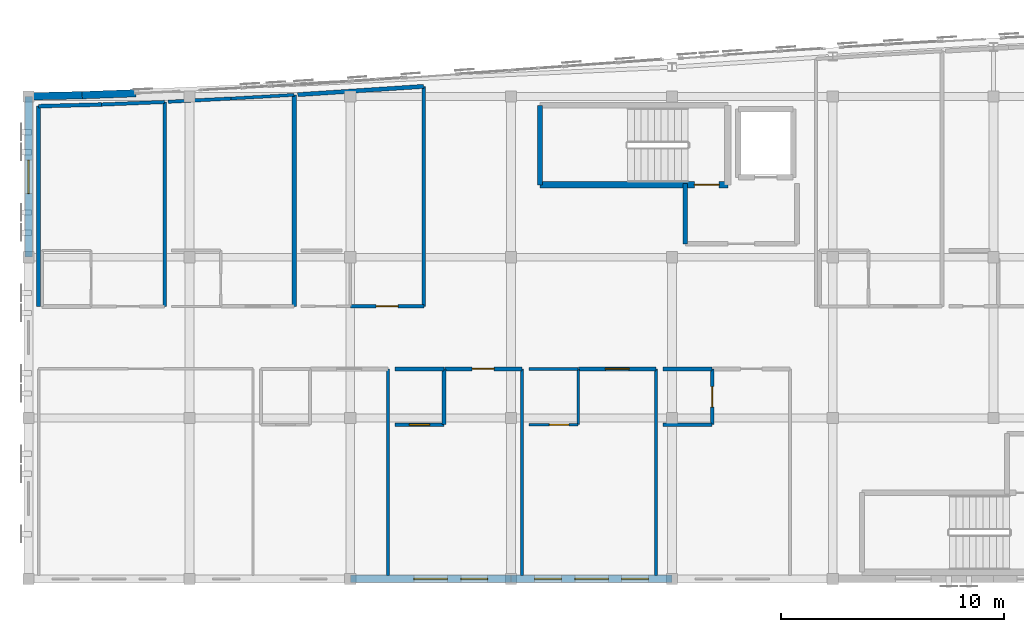
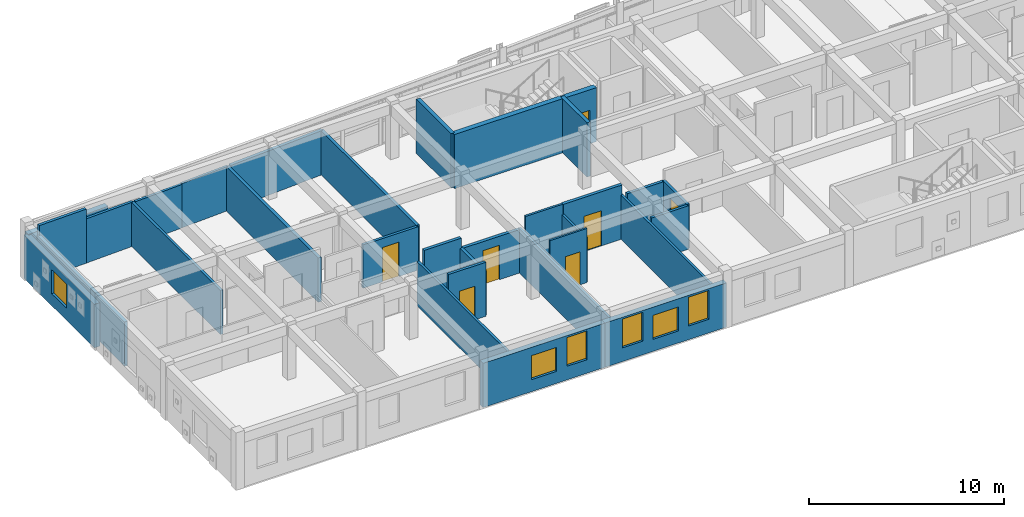
# One storey, part 26 of 34: 32 walls, 7 doors, 6 windows, 13 openings.
"""IFC4 building model written with IfcOpenShell, lengths in metres."""

from ifc_helpers import new_model, si_unit, direction, frame, frame_2d, origin, place, context, subcontext, project, spatial, rectangle, extrude, material, layer, layer_set, type_object, element, fill, save


model = new_model("IFC4")

# Units and contexts
model_context = context("Model", 3, precision=1e-05, world=origin(), true_north=direction((0.0, 1.0)))
body_context = subcontext(model_context, "Body", "Model", "MODEL_VIEW")
ifc_project = project(units=[si_unit("LENGTHUNIT", "METRE"), si_unit("AREAUNIT", "SQUARE_METRE"), si_unit("VOLUMEUNIT", "CUBIC_METRE"), si_unit("PLANEANGLEUNIT", "RADIAN"), si_unit("MASSUNIT", "GRAM", prefix="KILO")], contexts=[model_context])

# Site, building, storey
site_placement = place(None, origin())
site = spatial("IfcSite", under=ifc_project, at=site_placement, CompositionType="ELEMENT")
building_placement = place(site_placement, origin())
building = spatial("IfcBuilding", under=site, at=building_placement, Name="Carrowvane Square Congress Hotel", CompositionType="ELEMENT")
storey_placement = place(building_placement, frame((0.0, 0.0, 40.800048828125)))
storey = spatial("IfcBuildingStorey", under=building, at=storey_placement, Name="L10", CompositionType="ELEMENT", Elevation=40.800048828125)

# Walls
ifc_material_1 = material(Name="Glazed terracotta rainscreen", Category="masonry")
ifc_layer_1 = layer(ifc_material_1, 0.330078125)
ifc_layer_set_1 = layer_set([ifc_layer_1], Name="Glazed terracotta rainscreen")
wall_type_1 = type_object("IfcWallType", Name="WL-EXT-TC330", PredefinedType="STANDARD", material=ifc_layer_set_1)
wall_1_placement = place(storey_placement, frame((33.199951171875, 113.39990234375, 0.0), z_axis=(0.0, 0.0, 1.0), x_axis=(0.999767568547, 0.021559426766, 0.0)))
element("IfcWall", 1, at=wall_1_placement, inside=storey, type_object=wall_type_1, Name="L10 exterior facade wall 583", PredefinedType="STANDARD", context=body_context, shape_type="SweptSolid", body=[
    extrude(rectangle(XDim=2.400634765625, YDim=0.330078125, at=frame_2d((1.2001953125, 0.0))), origin(), (0.0, 0.0, 1.0), 2.764892578125),
])
wall_2_placement = place(storey_placement, frame((35.60009765625, 113.45166015625, 0.0), z_axis=(0.0, 0.0, 1.0), x_axis=(0.99930757318, 0.037207179225, 0.0)))
element("IfcWall", 2, at=wall_2_placement, inside=storey, type_object=wall_type_1, Name="L10 exterior facade wall 584", PredefinedType="STANDARD", context=body_context, shape_type="SweptSolid", body=[
    extrude(rectangle(XDim=2.401611328125, YDim=0.330078125, at=frame_2d((1.20068359375, 0.0))), origin(), (0.0, 0.0, 1.0), 2.764892578125),
])

# Wall, openings, windows
wall_3_placement = place(storey_placement, frame((62.0, 91.800048828125, 0.0), z_axis=(0.0, 0.0, 1.0), x_axis=(-1.0, 0.0, 0.0)))
wall_3 = element("IfcWall", 3, at=wall_3_placement, inside=storey, type_object=wall_type_1, Name="L10 exterior facade wall 597", PredefinedType="STANDARD", context=body_context, shape_type="SweptSolid", body=[
    extrude(rectangle(XDim=7.199951171875, YDim=0.330078125, at=frame_2d((3.60009765625, 0.0))), origin(), (0.0, 0.0, 1.0), 2.764892578125),
])
opening_1_placement = place(wall_3_placement, frame((2.85009765625, 0.0, 0.75)))
opening_1 = element("IfcOpeningElement", 4, at=opening_1_placement, cuts=wall_3, Name="Opening W-15", PredefinedType="OPENING", context=body_context, shape_type="SweptSolid", body=[
    extrude(rectangle(XDim=1.5, YDim=1.5, at=frame_2d((0.75, 0.75))), frame((0.0, 0.175048828125, 0.0), z_axis=(0.0, -1.0, 0.0), x_axis=(1.0, 0.0, 0.0)), (0.0, 0.0, 1.0), 0.35009765625),
])
opening_2_placement = place(wall_3_placement, frame((1.050048828125, 0.0, 0.85009765625)))
opening_2 = element("IfcOpeningElement", 5, at=opening_2_placement, cuts=wall_3, Name="Opening W-01", PredefinedType="OPENING", context=body_context, shape_type="SweptSolid", body=[
    extrude(rectangle(XDim=1.199951171875, YDim=1.800048828125, at=frame_2d((0.60009765625, 0.89990234375))), frame((0.0, 0.175048828125, 0.0), z_axis=(0.0, -1.0, 0.0), x_axis=(1.0, 0.0, 0.0)), (0.0, 0.0, 1.0), 0.35009765625),
])
opening_3_placement = place(wall_3_placement, frame((4.949951171875, 0.0, 0.85009765625)))
opening_3 = element("IfcOpeningElement", 6, at=opening_3_placement, cuts=wall_3, Name="Opening W-01", PredefinedType="OPENING", context=body_context, shape_type="SweptSolid", body=[
    extrude(rectangle(XDim=1.199951171875, YDim=1.800048828125, at=frame_2d((0.60009765625, 0.89990234375))), frame((0.0, 0.175048828125, 0.0), z_axis=(0.0, -1.0, 0.0), x_axis=(1.0, 0.0, 0.0)), (0.0, 0.0, 1.0), 0.35009765625),
])
ifc_material_2 = material(Name="Double-glazed low-E glass", Category="glass")
window_type_1 = type_object("IfcWindowType", Name="WIN-01", PartitioningType="SINGLE_PANEL", PredefinedType="WINDOW", material=ifc_material_2)
window_1_placement = place(opening_2_placement, origin())
window_1 = element("IfcWindow", 7, at=window_1_placement, inside=storey, type_object=window_type_1, Name="L10 guest bedroom window 483", OverallHeight=1.800048828125, OverallWidth=1.199951171875, PartitioningType="SINGLE_PANEL", PredefinedType="WINDOW", context=body_context, shape_type="SweptSolid", body=[
    extrude(rectangle(XDim=1.199951171875, YDim=1.800048828125, at=frame_2d((0.60009765625, 0.89990234375))), frame((0.0, 0.030029296875, 0.0), z_axis=(0.0, -1.0, 0.0), x_axis=(1.0, 0.0, 0.0)), (0.0, 0.0, 1.0), 0.06005859375),
])
fill(opening_2, window_1)
window_2_placement = place(opening_3_placement, origin())
window_2 = element("IfcWindow", 8, at=window_2_placement, inside=storey, type_object=window_type_1, Name="L10 guest bedroom window 484", OverallHeight=1.800048828125, OverallWidth=1.199951171875, PartitioningType="SINGLE_PANEL", PredefinedType="WINDOW", context=body_context, shape_type="SweptSolid", body=[
    extrude(rectangle(XDim=1.199951171875, YDim=1.800048828125, at=frame_2d((0.60009765625, 0.89990234375))), frame((0.0, 0.030029296875, 0.0), z_axis=(0.0, -1.0, 0.0), x_axis=(1.0, 0.0, 0.0)), (0.0, 0.0, 1.0), 0.06005859375),
])
fill(opening_3, window_2)
ifc_material_3 = material(Name="Double-glazed low-E glass", Category="glass")
window_type_2 = type_object("IfcWindowType", Name="WIN-15", PartitioningType="SINGLE_PANEL", PredefinedType="WINDOW", material=ifc_material_3)
window_3_placement = place(opening_1_placement, origin())
window_3 = element("IfcWindow", 9, at=window_3_placement, inside=storey, type_object=window_type_2, Name="L10 facade window 482", OverallHeight=1.5, OverallWidth=1.5, PartitioningType="SINGLE_PANEL", PredefinedType="WINDOW", context=body_context, shape_type="SweptSolid", body=[
    extrude(rectangle(XDim=1.5, YDim=1.5, at=frame_2d((0.75, 0.75))), frame((0.0, 0.030029296875, 0.0), z_axis=(0.0, -1.0, 0.0), x_axis=(1.0, 0.0, 0.0)), (0.0, 0.0, 1.0), 0.06005859375),
])
fill(opening_1, window_3)

wall_4_placement = place(storey_placement, frame((54.800048828125, 91.800048828125, 0.0), z_axis=(0.0, 0.0, 1.0), x_axis=(-1.0, 0.0, 0.0)))
wall_4 = element("IfcWall", 10, at=wall_4_placement, inside=storey, type_object=wall_type_1, Name="L10 exterior facade wall 598", PredefinedType="STANDARD", context=body_context, shape_type="SweptSolid", body=[
    extrude(rectangle(XDim=7.199951171875, YDim=0.330078125, at=frame_2d((3.60009765625, 0.0))), origin(), (0.0, 0.0, 1.0), 2.764892578125),
])
opening_4_placement = place(wall_4_placement, frame((2.85009765625, 0.0, 0.75)))
opening_4 = element("IfcOpeningElement", 11, at=opening_4_placement, cuts=wall_4, Name="Opening W-15", PredefinedType="OPENING", context=body_context, shape_type="SweptSolid", body=[
    extrude(rectangle(XDim=1.5, YDim=1.5, at=frame_2d((0.75, 0.75))), frame((0.0, 0.175048828125, 0.0), z_axis=(0.0, -1.0, 0.0), x_axis=(1.0, 0.0, 0.0)), (0.0, 0.0, 1.0), 0.35009765625),
])
opening_5_placement = place(wall_4_placement, frame((1.050048828125, 0.0, 0.85009765625)))
opening_5 = element("IfcOpeningElement", 12, at=opening_5_placement, cuts=wall_4, Name="Opening W-01", PredefinedType="OPENING", context=body_context, shape_type="SweptSolid", body=[
    extrude(rectangle(XDim=1.199951171875, YDim=1.800048828125, at=frame_2d((0.60009765625, 0.89990234375))), frame((0.0, 0.175048828125, 0.0), z_axis=(0.0, -1.0, 0.0), x_axis=(1.0, 0.0, 0.0)), (0.0, 0.0, 1.0), 0.35009765625),
])
window_4_placement = place(opening_5_placement, origin())
window_4 = element("IfcWindow", 13, at=window_4_placement, inside=storey, type_object=window_type_1, Name="L10 guest bedroom window 486", OverallHeight=1.800048828125, OverallWidth=1.199951171875, PartitioningType="SINGLE_PANEL", PredefinedType="WINDOW", context=body_context, shape_type="SweptSolid", body=[
    extrude(rectangle(XDim=1.199951171875, YDim=1.800048828125, at=frame_2d((0.60009765625, 0.89990234375))), frame((0.0, 0.030029296875, 0.0), z_axis=(0.0, -1.0, 0.0), x_axis=(1.0, 0.0, 0.0)), (0.0, 0.0, 1.0), 0.06005859375),
])
fill(opening_5, window_4)
window_5_placement = place(opening_4_placement, origin())
window_5 = element("IfcWindow", 14, at=window_5_placement, inside=storey, type_object=window_type_2, Name="L10 facade window 485", OverallHeight=1.5, OverallWidth=1.5, PartitioningType="SINGLE_PANEL", PredefinedType="WINDOW", context=body_context, shape_type="SweptSolid", body=[
    extrude(rectangle(XDim=1.5, YDim=1.5, at=frame_2d((0.75, 0.75))), frame((0.0, 0.030029296875, 0.0), z_axis=(0.0, -1.0, 0.0), x_axis=(1.0, 0.0, 0.0)), (0.0, 0.0, 1.0), 0.06005859375),
])
fill(opening_4, window_5)

# Wall, opening, window
wall_5_placement = place(storey_placement, frame((33.199951171875, 106.199951171875, 0.0), z_axis=(0.0, 0.0, 1.0), x_axis=(0.0, 1.0, 0.0)))
wall_5 = element("IfcWall", 15, at=wall_5_placement, inside=storey, type_object=wall_type_1, Name="L10 exterior facade wall 603", PredefinedType="STANDARD", context=body_context, shape_type="SweptSolid", body=[
    extrude(rectangle(XDim=7.199951171875, YDim=0.330078125, at=frame_2d((3.60009765625, 0.0))), origin(), (0.0, 0.0, 1.0), 2.71484375),
])
opening_6_placement = place(wall_5_placement, frame((2.85009765625, 0.0, 0.75)))
opening_6 = element("IfcOpeningElement", 16, at=opening_6_placement, cuts=wall_5, Name="Opening W-15", PredefinedType="OPENING", context=body_context, shape_type="SweptSolid", body=[
    extrude(rectangle(XDim=1.5, YDim=1.5, at=frame_2d((0.75, 0.75))), frame((0.0, 0.175048828125, 0.0), z_axis=(0.0, -1.0, 0.0), x_axis=(1.0, 0.0, 0.0)), (0.0, 0.0, 1.0), 0.35009765625),
])
window_6_placement = place(opening_6_placement, origin())
window_6 = element("IfcWindow", 17, at=window_6_placement, inside=storey, type_object=window_type_2, Name="L10 facade window 496", OverallHeight=1.5, OverallWidth=1.5, PartitioningType="SINGLE_PANEL", PredefinedType="WINDOW", context=body_context, shape_type="SweptSolid", body=[
    extrude(rectangle(XDim=1.5, YDim=1.5, at=frame_2d((0.75, 0.75))), frame((0.0, 0.030029296875, 0.0), z_axis=(0.0, -1.0, 0.0), x_axis=(1.0, 0.0, 0.0)), (0.0, 0.0, 1.0), 0.06005859375),
])
fill(opening_6, window_6)

# Wall, opening, door
ifc_material_4 = material(Name="Acoustic gypsum board", Category="gypsum")
ifc_layer_2 = layer(ifc_material_4, 0.155029296875)
ifc_layer_set_2 = layer_set([ifc_layer_2], Name="Acoustic gypsum board")
wall_type_2 = type_object("IfcWallType", Name="WL-FIR-155", PredefinedType="PARTITIONING", material=ifc_layer_set_2)
wall_6_placement = place(storey_placement, frame((51.800048828125, 98.699951171875, 0.0), z_axis=(0.0, 0.0, 1.0), x_axis=(-1.0, 0.0, 0.0)))
wall_6 = element("IfcWall", 18, at=wall_6_placement, inside=storey, type_object=wall_type_2, Name="L10 En-suite Bathroom 1002 partition", PredefinedType="PARTITIONING", context=body_context, shape_type="SweptSolid", body=[
    extrude(rectangle(XDim=2.199951171875, YDim=0.155029296875, at=frame_2d((1.10009765625, 0.0))), origin(), (0.0, 0.0, 1.0), 3.3798828125),
])
opening_7_placement = place(wall_6_placement, frame((0.64501953125, 0.0, 0.0)))
opening_7 = element("IfcOpeningElement", 19, at=opening_7_placement, cuts=wall_6, Name="Opening ID-17", PredefinedType="OPENING", context=body_context, shape_type="SweptSolid", body=[
    extrude(rectangle(XDim=0.909912109375, YDim=2.110107421875, at=frame_2d((0.455078125, 1.05517578125))), frame((0.0, 0.08740234375, 0.0), z_axis=(0.0, -1.0, 0.0), x_axis=(1.0, 0.0, 0.0)), (0.0, 0.0, 1.0), 0.175048828125),
])
ifc_material_5 = material(Name="European oak timber", Category="wood")
door_type_1 = type_object("IfcDoorType", Name="DR-INT-0910x2110", OperationType="NOTDEFINED", PredefinedType="DOOR", material=ifc_material_5)
door_1_placement = place(opening_7_placement, origin())
door_1 = element("IfcDoor", 20, at=door_1_placement, inside=storey, type_object=door_type_1, Name="L10 En-suite Bathroom 1002 door", OperationType="SINGLE_SWING_RIGHT", OverallHeight=2.110107421875, OverallWidth=0.909912109375, PredefinedType="DOOR", context=body_context, shape_type="SweptSolid", body=[
    extrude(rectangle(XDim=0.909912109375, YDim=2.110107421875, at=frame_2d((0.455078125, 1.05517578125))), frame((0.0, 0.02490234375, 0.0), z_axis=(0.0, -1.0, 0.0), x_axis=(1.0, 0.0, 0.0)), (0.0, 0.0, 1.0), 0.050048828125),
])
fill(opening_7, door_1)

wall_7_placement = place(storey_placement, frame((63.800048828125, 101.199951171875, 0.0), z_axis=(0.0, 0.0, 1.0), x_axis=(0.0, -1.0, 0.0)))
wall_7 = element("IfcWall", 21, at=wall_7_placement, inside=storey, type_object=wall_type_2, Name="L10 En-suite Bathroom 1004 partition", PredefinedType="PARTITIONING", context=body_context, shape_type="SweptSolid", body=[
    extrude(rectangle(XDim=2.5, YDim=0.155029296875, at=frame_2d((1.25, 0.0))), origin(), (0.0, 0.0, 1.0), 2.764892578125),
])
opening_8_placement = place(wall_7_placement, frame((0.7900390625, 0.0, 0.0)))
opening_8 = element("IfcOpeningElement", 22, at=opening_8_placement, cuts=wall_7, Name="Opening ID-03", PredefinedType="OPENING", context=body_context, shape_type="SweptSolid", body=[
    extrude(rectangle(XDim=0.919921875, YDim=2.10009765625, at=frame_2d((0.4599609375, 1.050048828125))), frame((0.0, 0.08740234375, 0.0), z_axis=(0.0, -1.0, 0.0), x_axis=(1.0, 0.0, 0.0)), (0.0, 0.0, 1.0), 0.175048828125),
])
ifc_material_6 = material(Name="European oak timber", Category="wood")
door_type_2 = type_object("IfcDoorType", Name="DR-INT-0920x2100", OperationType="NOTDEFINED", PredefinedType="DOOR", material=ifc_material_6)
door_2_placement = place(opening_8_placement, origin())
door_2 = element("IfcDoor", 23, at=door_2_placement, inside=storey, type_object=door_type_2, Name="L10 En-suite Bathroom 1004 door", OperationType="SINGLE_SWING_RIGHT", OverallHeight=2.10009765625, OverallWidth=0.919921875, PredefinedType="DOOR", context=body_context, shape_type="SweptSolid", body=[
    extrude(rectangle(XDim=0.919921875, YDim=2.10009765625, at=frame_2d((0.4599609375, 1.050048828125))), frame((0.0, 0.02490234375, 0.0), z_axis=(0.0, -1.0, 0.0), x_axis=(1.0, 0.0, 0.0)), (0.0, 0.0, 1.0), 0.050048828125),
])
fill(opening_8, door_2)

# Wall
wall_8_placement = place(storey_placement, frame((36.469970703125, 113.0341796875, 0.0), z_axis=(0.0, 0.0, 1.0), x_axis=(0.999141298564, 0.041432662281, 0.0)))
element("IfcWall", 24, at=wall_8_placement, inside=storey, type_object=wall_type_2, Name="L10 Parkview Suite 1005 partition", PredefinedType="PARTITIONING", context=body_context, shape_type="SweptSolid", body=[
    extrude(rectangle(XDim=2.822509765625, YDim=0.155029296875, at=frame_2d((1.4111328125, 0.0))), origin(), (0.0, 0.0, 1.0), 2.764892578125),
])

# Wall, opening, door
wall_9_placement = place(storey_placement, frame((50.889892578125, 104.0, 0.0), z_axis=(0.0, 0.0, 1.0), x_axis=(-1.0, 0.0, 0.0)))
wall_9 = element("IfcWall", 25, at=wall_9_placement, inside=storey, type_object=wall_type_2, Name="L10 Parkview Suite 1007 partition", PredefinedType="PARTITIONING", context=body_context, shape_type="SweptSolid", body=[
    extrude(rectangle(XDim=3.27978515625, YDim=0.155029296875, at=frame_2d((1.639892578125, 0.0))), origin(), (0.0, 0.0, 1.0), 2.71484375),
])
opening_9_placement = place(wall_9_placement, frame((1.14990234375, 0.0, 0.0)))
opening_9 = element("IfcOpeningElement", 26, at=opening_9_placement, cuts=wall_9, Name="Opening FD-07", PredefinedType="OPENING", context=body_context, shape_type="SweptSolid", body=[
    extrude(rectangle(XDim=0.97998046875, YDim=2.14990234375, at=frame_2d((0.489990234375, 1.074951171875))), frame((0.0, 0.08740234375, 0.0), z_axis=(0.0, -1.0, 0.0), x_axis=(1.0, 0.0, 0.0)), (0.0, 0.0, 1.0), 0.175048828125),
])
ifc_material_7 = material(Name="European oak timber", Category="wood")
door_type_3 = type_object("IfcDoorType", Name="DR-FD30-0980x2150", OperationType="NOTDEFINED", PredefinedType="DOOR", material=ifc_material_7)
door_3_placement = place(opening_9_placement, origin())
door_3 = element("IfcDoor", 27, at=door_3_placement, inside=storey, type_object=door_type_3, Name="L10 Parkview Suite 1007 entrance door", OperationType="SINGLE_SWING_LEFT", OverallHeight=2.14990234375, OverallWidth=0.97998046875, PredefinedType="DOOR", context=body_context, shape_type="SweptSolid", body=[
    extrude(rectangle(XDim=0.97998046875, YDim=2.14990234375, at=frame_2d((0.489990234375, 1.074951171875))), frame((0.0, 0.02490234375, 0.0), z_axis=(0.0, -1.0, 0.0), x_axis=(1.0, 0.0, 0.0)), (0.0, 0.0, 1.0), 0.050048828125),
])
fill(opening_9, door_3)

# Walls
ifc_material_8 = material(Name="Acoustic gypsum board", Category="gypsum")
ifc_layer_3 = layer(ifc_material_8, 0.169921875)
ifc_layer_set_3 = layer_set([ifc_layer_3], Name="Acoustic gypsum board")
wall_type_3 = type_object("IfcWallType", Name="WL-FIR-170", PredefinedType="PARTITIONING", material=ifc_layer_set_3)
wall_10_placement = place(storey_placement, frame((51.800048828125, 101.199951171875, 0.0), z_axis=(0.0, 0.0, 1.0), x_axis=(0.0, -1.0, 0.0)))
element("IfcWall", 28, at=wall_10_placement, inside=storey, type_object=wall_type_3, Name="L10 En-suite Bathroom 1002 partition", PredefinedType="PARTITIONING", context=body_context, shape_type="SweptSolid", body=[
    extrude(rectangle(XDim=2.5, YDim=0.169921875, at=frame_2d((1.25, 0.0))), origin(), (0.0, 0.0, 1.0), 2.764892578125),
])
wall_11_placement = place(storey_placement, frame((61.60009765625, 101.199951171875, 0.0), z_axis=(0.0, 0.0, 1.0), x_axis=(1.0, 0.0, 0.0)))
element("IfcWall", 29, at=wall_11_placement, inside=storey, type_object=wall_type_3, Name="L10 En-suite Bathroom 1004 partition", PredefinedType="PARTITIONING", context=body_context, shape_type="SweptSolid", body=[
    extrude(rectangle(XDim=2.199951171875, YDim=0.169921875, at=frame_2d((1.10009765625, 0.0))), origin(), (0.0, 0.0, 1.0), 2.71484375),
])
wall_12_placement = place(storey_placement, frame((33.64990234375, 112.959716796875, 0.0), z_axis=(0.0, 0.0, 1.0), x_axis=(0.999651579665, 0.026395440377, 0.0)))
element("IfcWall", 30, at=wall_12_placement, inside=storey, type_object=wall_type_3, Name="L10 Parkview Suite 1005 partition", PredefinedType="PARTITIONING", context=body_context, shape_type="SweptSolid", body=[
    extrude(rectangle(XDim=2.821044921875, YDim=0.169921875, at=frame_2d((1.41064453125, 0.0))), origin(), (0.0, 0.0, 1.0), 3.3798828125),
])
wall_13_placement = place(storey_placement, frame((50.889892578125, 113.846923828125, 0.0), z_axis=(0.0, 0.0, 1.0), x_axis=(0.0, -1.0, 0.0)))
element("IfcWall", 31, at=wall_13_placement, inside=storey, type_object=wall_type_3, Name="L10 Parkview Suite 1007 partition", PredefinedType="PARTITIONING", context=body_context, shape_type="SweptSolid", body=[
    extrude(rectangle(XDim=9.846923828125, YDim=0.169921875, at=frame_2d((4.92333984375, 0.0))), origin(), (0.0, 0.0, 1.0), 2.764892578125),
])
ifc_material_9 = material(Name="Acoustic gypsum board", Category="gypsum")
ifc_layer_4 = layer(ifc_material_9, 0.18505859375)
ifc_layer_set_4 = layer_set([ifc_layer_4], Name="Acoustic gypsum board")
wall_type_4 = type_object("IfcWallType", Name="WL-FIR-185", PredefinedType="PARTITIONING", material=ifc_layer_set_4)
wall_14_placement = place(storey_placement, frame((49.60009765625, 101.199951171875, 0.0), z_axis=(0.0, 0.0, 1.0), x_axis=(1.0, 0.0, 0.0)))
element("IfcWall", 32, at=wall_14_placement, inside=storey, type_object=wall_type_4, Name="L10 En-suite Bathroom 1002 partition", PredefinedType="PARTITIONING", context=body_context, shape_type="SweptSolid", body=[
    extrude(rectangle(XDim=2.199951171875, YDim=0.18505859375, at=frame_2d((1.10009765625, 0.0))), origin(), (0.0, 0.0, 1.0), 3.3798828125),
])

# Wall, opening, door
wall_15_placement = place(storey_placement, frame((51.81005859375, 101.199951171875, 0.0), z_axis=(0.0, 0.0, 1.0), x_axis=(1.0, 0.0, 0.0)))
wall_15 = element("IfcWall", 33, at=wall_15_placement, inside=storey, type_object=wall_type_4, Name="L10 Hotel Suite 1002 partition", PredefinedType="PARTITIONING", context=body_context, shape_type="SweptSolid", body=[
    extrude(rectangle(XDim=3.47998046875, YDim=0.18505859375, at=frame_2d((1.739990234375, 0.0))), origin(), (0.0, 0.0, 1.0), 2.71484375),
])
opening_10_placement = place(wall_15_placement, frame((1.25, 0.0, 0.0)))
opening_10 = element("IfcOpeningElement", 34, at=opening_10_placement, cuts=wall_15, Name="Opening FD-07", PredefinedType="OPENING", context=body_context, shape_type="SweptSolid", body=[
    extrude(rectangle(XDim=0.97998046875, YDim=2.14990234375, at=frame_2d((0.489990234375, 1.074951171875))), frame((0.0, 0.1025390625, 0.0), z_axis=(0.0, -1.0, 0.0), x_axis=(1.0, 0.0, 0.0)), (0.0, 0.0, 1.0), 0.205078125),
])
door_4_placement = place(opening_10_placement, origin())
door_4 = element("IfcDoor", 35, at=door_4_placement, inside=storey, type_object=door_type_3, Name="L10 Hotel Suite 1002 entrance door", OperationType="SINGLE_SWING_LEFT", OverallHeight=2.14990234375, OverallWidth=0.97998046875, PredefinedType="DOOR", context=body_context, shape_type="SweptSolid", body=[
    extrude(rectangle(XDim=0.97998046875, YDim=2.14990234375, at=frame_2d((0.489990234375, 1.074951171875))), frame((0.0, 0.02490234375, 0.0), z_axis=(0.0, -1.0, 0.0), x_axis=(1.0, 0.0, 0.0)), (0.0, 0.0, 1.0), 0.050048828125),
])
fill(opening_10, door_4)

wall_16_placement = place(storey_placement, frame((57.81005859375, 101.199951171875, 0.0), z_axis=(0.0, 0.0, 1.0), x_axis=(1.0, 0.0, 0.0)))
wall_16 = element("IfcWall", 36, at=wall_16_placement, inside=storey, type_object=wall_type_4, Name="L10 Hotel Suite 1003 partition", PredefinedType="PARTITIONING", context=body_context, shape_type="SweptSolid", body=[
    extrude(rectangle(XDim=3.47998046875, YDim=0.18505859375, at=frame_2d((1.739990234375, 0.0))), origin(), (0.0, 0.0, 1.0), 3.3798828125),
])
opening_11_placement = place(wall_16_placement, frame((1.2099609375, 0.0, 0.0)))
opening_11 = element("IfcOpeningElement", 37, at=opening_11_placement, cuts=wall_16, Name="Opening FD-09", PredefinedType="OPENING", context=body_context, shape_type="SweptSolid", body=[
    extrude(rectangle(XDim=1.06005859375, YDim=2.199951171875, at=frame_2d((0.530029296875, 1.10009765625))), frame((0.0, 0.1025390625, 0.0), z_axis=(0.0, -1.0, 0.0), x_axis=(1.0, 0.0, 0.0)), (0.0, 0.0, 1.0), 0.205078125),
])
ifc_material_10 = material(Name="European oak timber", Category="wood")
door_type_4 = type_object("IfcDoorType", Name="DR-FD30-1060x2200", OperationType="NOTDEFINED", PredefinedType="DOOR", material=ifc_material_10)
door_5_placement = place(opening_11_placement, origin())
door_5 = element("IfcDoor", 38, at=door_5_placement, inside=storey, type_object=door_type_4, Name="L10 Hotel Suite 1003 entrance door", OperationType="SINGLE_SWING_LEFT", OverallHeight=2.199951171875, OverallWidth=1.06005859375, PredefinedType="DOOR", context=body_context, shape_type="SweptSolid", body=[
    extrude(rectangle(XDim=1.06005859375, YDim=2.199951171875, at=frame_2d((0.530029296875, 1.10009765625))), frame((0.0, 0.02490234375, 0.0), z_axis=(0.0, -1.0, 0.0), x_axis=(1.0, 0.0, 0.0)), (0.0, 0.0, 1.0), 0.050048828125),
])
fill(opening_11, door_5)

# Walls
wall_17_placement = place(storey_placement, frame((33.64990234375, 104.0, 0.0), z_axis=(0.0, 0.0, 1.0), x_axis=(0.0, 1.0, 0.0)))
element("IfcWall", 39, at=wall_17_placement, inside=storey, type_object=wall_type_4, Name="L10 Parkview Suite 1005 partition", PredefinedType="PARTITIONING", context=body_context, shape_type="SweptSolid", body=[
    extrude(rectangle(XDim=8.959716796875, YDim=0.18505859375, at=frame_2d((4.47998046875, 0.0))), origin(), (0.0, 0.0, 1.0), 2.764892578125),
])
wall_18_placement = place(storey_placement, frame((45.090087890625, 113.466552734375, 0.0), z_axis=(0.0, 0.0, 1.0), x_axis=(0.0, -1.0, 0.0)))
element("IfcWall", 40, at=wall_18_placement, inside=storey, type_object=wall_type_4, Name="L10 Parkview Suite 1006 partition", PredefinedType="PARTITIONING", context=body_context, shape_type="SweptSolid", body=[
    extrude(rectangle(XDim=9.466552734375, YDim=0.18505859375, at=frame_2d((4.7333984375, 0.0))), origin(), (0.0, 0.0, 1.0), 2.764892578125),
])
wall_19_placement = place(storey_placement, frame((45.25, 113.476318359375, 0.0), z_axis=(0.0, 0.0, 1.0), x_axis=(0.997847970093, 0.065570028077, 0.0)))
element("IfcWall", 41, at=wall_19_placement, inside=storey, type_object=wall_type_4, Name="L10 Parkview Suite 1007 partition", PredefinedType="PARTITIONING", context=body_context, shape_type="SweptSolid", body=[
    extrude(rectangle(XDim=5.652099609375, YDim=0.18505859375, at=frame_2d((2.826171875, 0.0))), origin(), (0.0, 0.0, 1.0), 2.764892578125),
])
ifc_material_11 = material(Name="Acoustic gypsum board", Category="gypsum")
ifc_layer_5 = layer(ifc_material_11, 0.205078125)
ifc_layer_set_5 = layer_set([ifc_layer_5], Name="Acoustic gypsum board")
wall_type_5 = type_object("IfcWallType", Name="WL-FIR-205", PredefinedType="PARTITIONING", material=ifc_layer_set_5)
wall_20_placement = place(storey_placement, frame((62.60009765625, 109.5, 0.0), z_axis=(0.0, 0.0, 1.0), x_axis=(0.0, -1.0, 0.0)))
element("IfcWall", 42, at=wall_20_placement, inside=storey, type_object=wall_type_5, Name="L10 Firefighting Lobby C1 wall west", PredefinedType="PARTITIONING", context=body_context, shape_type="SweptSolid", body=[
    extrude(rectangle(XDim=2.699951171875, YDim=0.205078125, at=frame_2d((1.35009765625, 0.0))), origin(), (0.0, 0.0, 1.0), 3.3798828125),
])

# Wall, opening, door
ifc_material_12 = material(Name="Acoustic gypsum board", Category="gypsum")
ifc_layer_6 = layer(ifc_material_12, 0.10791015625)
ifc_layer_set_6 = layer_set([ifc_layer_6], Name="Acoustic gypsum board")
wall_type_6 = type_object("IfcWallType", Name="WL-PRT-108", PredefinedType="PARTITIONING", material=ifc_layer_set_6)
wall_21_placement = place(storey_placement, frame((57.800048828125, 98.699951171875, 0.0), z_axis=(0.0, 0.0, 1.0), x_axis=(-1.0, 0.0, 0.0)))
wall_21 = element("IfcWall", 43, at=wall_21_placement, inside=storey, type_object=wall_type_6, Name="L10 En-suite Bathroom 1003 partition", PredefinedType="PARTITIONING", context=body_context, shape_type="SweptSolid", body=[
    extrude(rectangle(XDim=2.199951171875, YDim=0.10791015625, at=frame_2d((1.10009765625, 0.0))), origin(), (0.0, 0.0, 1.0), 3.3798828125),
])
opening_12_placement = place(wall_21_placement, frame((0.409912109375, 0.0, 0.0)))
opening_12 = element("IfcOpeningElement", 44, at=opening_12_placement, cuts=wall_21, Name="Opening ID-01", PredefinedType="OPENING", context=body_context, shape_type="SweptSolid", body=[
    extrude(rectangle(XDim=0.8798828125, YDim=2.06005859375, at=frame_2d((0.43994140625, 1.030029296875))), frame((0.0, 0.06396484375, 0.0), z_axis=(0.0, -1.0, 0.0), x_axis=(1.0, 0.0, 0.0)), (0.0, 0.0, 1.0), 0.1279296875),
])
ifc_material_13 = material(Name="European oak timber", Category="wood")
door_type_5 = type_object("IfcDoorType", Name="DR-INT-0880x2060", OperationType="NOTDEFINED", PredefinedType="DOOR", material=ifc_material_13)
door_6_placement = place(opening_12_placement, origin())
door_6 = element("IfcDoor", 45, at=door_6_placement, inside=storey, type_object=door_type_5, Name="L10 En-suite Bathroom 1003 door", OperationType="SINGLE_SWING_RIGHT", OverallHeight=2.06005859375, OverallWidth=0.8798828125, PredefinedType="DOOR", context=body_context, shape_type="SweptSolid", body=[
    extrude(rectangle(XDim=0.8798828125, YDim=2.06005859375, at=frame_2d((0.43994140625, 1.030029296875))), frame((0.0, 0.02490234375, 0.0), z_axis=(0.0, -1.0, 0.0), x_axis=(1.0, 0.0, 0.0)), (0.0, 0.0, 1.0), 0.050048828125),
])
fill(opening_12, door_6)

# Walls
ifc_material_14 = material(Name="Acoustic gypsum board", Category="gypsum")
ifc_layer_7 = layer(ifc_material_14, 0.117919921875)
ifc_layer_set_7 = layer_set([ifc_layer_7], Name="Acoustic gypsum board")
wall_type_7 = type_object("IfcWallType", Name="WL-PRT-118", PredefinedType="PARTITIONING", material=ifc_layer_set_7)
wall_22_placement = place(storey_placement, frame((57.800048828125, 101.199951171875, 0.0), z_axis=(0.0, 0.0, 1.0), x_axis=(0.0, -1.0, 0.0)))
element("IfcWall", 46, at=wall_22_placement, inside=storey, type_object=wall_type_7, Name="L10 En-suite Bathroom 1003 partition", PredefinedType="PARTITIONING", context=body_context, shape_type="SweptSolid", body=[
    extrude(rectangle(XDim=2.5, YDim=0.117919921875, at=frame_2d((1.25, 0.0))), origin(), (0.0, 0.0, 1.0), 2.764892578125),
])
ifc_material_15 = material(Name="Acoustic gypsum board", Category="gypsum")
ifc_layer_8 = layer(ifc_material_15, 0.1279296875)
ifc_layer_set_8 = layer_set([ifc_layer_8], Name="Acoustic gypsum board")
wall_type_8 = type_object("IfcWallType", Name="WL-PRT-128", PredefinedType="PARTITIONING", material=ifc_layer_set_8)
wall_23_placement = place(storey_placement, frame((55.60009765625, 101.199951171875, 0.0), z_axis=(0.0, 0.0, 1.0), x_axis=(1.0, 0.0, 0.0)))
element("IfcWall", 47, at=wall_23_placement, inside=storey, type_object=wall_type_8, Name="L10 En-suite Bathroom 1003 partition", PredefinedType="PARTITIONING", context=body_context, shape_type="SweptSolid", body=[
    extrude(rectangle(XDim=2.199951171875, YDim=0.1279296875, at=frame_2d((1.10009765625, 0.0))), origin(), (0.0, 0.0, 1.0), 3.3798828125),
])
ifc_material_16 = material(Name="Acoustic gypsum board", Category="gypsum")
ifc_layer_9 = layer(ifc_material_16, 0.137939453125)
ifc_layer_set_9 = layer_set([ifc_layer_9], Name="Acoustic gypsum board")
wall_type_9 = type_object("IfcWallType", Name="WL-PRT-138", PredefinedType="PARTITIONING", material=ifc_layer_set_9)
for number, where, z_axis, x_axis, name in (
    (48, (49.2900390625, 101.199951171875, 0.0), (0.0, 0.0, 1.0), (0.0, -1.0, 0.0), "L10 Hotel Suite 1001 partition"),
    (49, (55.2900390625, 101.199951171875, 0.0), (0.0, 0.0, 1.0), (0.0, -1.0, 0.0), "L10 Hotel Suite 1002 partition"),
    (50, (61.2900390625, 101.199951171875, 0.0), (0.0, 0.0, 1.0), (0.0, -1.0, 0.0), "L10 Hotel Suite 1003 partition"),
):
    element("IfcWall", number, at=place(storey_placement, frame(where, z_axis=z_axis, x_axis=x_axis)), inside=storey, type_object=wall_type_9, Name=name, PredefinedType="PARTITIONING", context=body_context, shape_type="SweptSolid", body=[
        extrude(rectangle(XDim=9.239990234375, YDim=0.137939453125, at=frame_2d((4.6201171875, 0.0))), origin(), (0.0, 0.0, 1.0), 2.764892578125),
    ])
wall_24_placement = place(storey_placement, frame((42.27001953125, 113.302978515625, 0.0), z_axis=(0.0, 0.0, 1.0), x_axis=(0.998322021987, 0.057906307223, 0.0)))
element("IfcWall", 51, at=wall_24_placement, inside=storey, type_object=wall_type_9, Name="L10 Parkview Suite 1006 partition", PredefinedType="PARTITIONING", context=body_context, shape_type="SweptSolid", body=[
    extrude(rectangle(XDim=2.82470703125, YDim=0.137939453125, at=frame_2d((1.412353515625, 0.0))), origin(), (0.0, 0.0, 1.0), 2.764892578125),
])
ifc_material_17 = material(Name="Acoustic gypsum board", Category="gypsum")
ifc_layer_10 = layer(ifc_material_17, 0.14794921875)
ifc_layer_set_10 = layer_set([ifc_layer_10], Name="Acoustic gypsum board")
wall_type_10 = type_object("IfcWallType", Name="WL-PRT-148", PredefinedType="PARTITIONING", material=ifc_layer_set_10)
wall_25_placement = place(storey_placement, frame((63.800048828125, 98.699951171875, 0.0), z_axis=(0.0, 0.0, 1.0), x_axis=(-1.0, 0.0, 0.0)))
element("IfcWall", 52, at=wall_25_placement, inside=storey, type_object=wall_type_10, Name="L10 En-suite Bathroom 1004 partition", PredefinedType="PARTITIONING", context=body_context, shape_type="SweptSolid", body=[
    extrude(rectangle(XDim=2.199951171875, YDim=0.14794921875, at=frame_2d((1.10009765625, 0.0))), origin(), (0.0, 0.0, 1.0), 2.71484375),
])
wall_26_placement = place(storey_placement, frame((39.2900390625, 113.151123046875, 0.0), z_axis=(0.0, 0.0, 1.0), x_axis=(0.0, -1.0, 0.0)))
element("IfcWall", 53, at=wall_26_placement, inside=storey, type_object=wall_type_10, Name="L10 Parkview Suite 1005 partition", PredefinedType="PARTITIONING", context=body_context, shape_type="SweptSolid", body=[
    extrude(rectangle(XDim=9.151123046875, YDim=0.14794921875, at=frame_2d((4.57568359375, 0.0))), origin(), (0.0, 0.0, 1.0), 2.764892578125),
])
wall_27_placement = place(storey_placement, frame((39.449951171875, 113.158447265625, 0.0), z_axis=(0.0, 0.0, 1.0), x_axis=(0.998689250443, 0.05118379675, 0.0)))
element("IfcWall", 54, at=wall_27_placement, inside=storey, type_object=wall_type_10, Name="L10 Parkview Suite 1006 partition", PredefinedType="PARTITIONING", context=body_context, shape_type="SweptSolid", body=[
    extrude(rectangle(XDim=2.82373046875, YDim=0.14794921875, at=frame_2d((1.411865234375, 0.0))), origin(), (0.0, 0.0, 1.0), 2.71484375),
])
ifc_material_18 = material(Name="Concrete C40/50", Category="concrete")
ifc_layer_11 = layer(ifc_material_18, 0.22509765625)
ifc_layer_set_11 = layer_set([ifc_layer_11], Name="Concrete C40/50")
wall_type_11 = type_object("IfcWallType", Name="WL-SHR-225", PredefinedType="SHEAR", material=ifc_layer_set_11)
wall_28_placement = place(storey_placement, frame((56.10009765625, 113.0, 0.0), z_axis=(0.0, 0.0, 1.0), x_axis=(0.0, -1.0, 0.0)))
element("IfcWall", 55, at=wall_28_placement, inside=storey, type_object=wall_type_11, Name="L10 ST1 core wall west", PredefinedType="SHEAR", context=body_context, shape_type="SweptSolid", body=[
    extrude(rectangle(XDim=3.56005859375, YDim=0.22509765625, at=frame_2d((1.780029296875, 0.0))), origin(), (0.0, 0.0, 1.0), 3.3798828125),
])

# Wall, opening, door
ifc_material_19 = material(Name="Concrete C40/50", Category="concrete")
ifc_layer_12 = layer(ifc_material_19, 0.300048828125)
ifc_layer_set_12 = layer_set([ifc_layer_12], Name="Concrete C40/50")
wall_type_12 = type_object("IfcWallType", Name="WL-SHR-300", PredefinedType="SHEAR", material=ifc_layer_set_12)
wall_29_placement = place(storey_placement, frame((56.10009765625, 109.43994140625, 0.0), z_axis=(0.0, 0.0, 1.0), x_axis=(1.0, 0.0, 0.0)))
wall_29 = element("IfcWall", 56, at=wall_29_placement, inside=storey, type_object=wall_type_12, Name="L10 ST1 core wall south", PredefinedType="SHEAR", context=body_context, shape_type="SweptSolid", body=[
    extrude(rectangle(XDim=8.39990234375, YDim=0.300048828125, at=frame_2d((4.199951171875, 0.0))), origin(), (0.0, 0.0, 1.0), 3.3798828125),
])
opening_13_placement = place(wall_29_placement, frame((6.909912109375, 0.0, 0.0)))
opening_13 = element("IfcOpeningElement", 57, at=opening_13_placement, cuts=wall_29, Name="Opening FD-01", PredefinedType="OPENING", context=body_context, shape_type="SweptSolid", body=[
    extrude(rectangle(XDim=1.10009765625, YDim=2.10009765625, at=frame_2d((0.550048828125, 1.050048828125))), frame((0.0, 0.159912109375, 0.0), z_axis=(0.0, -1.0, 0.0), x_axis=(1.0, 0.0, 0.0)), (0.0, 0.0, 1.0), 0.320068359375),
])
ifc_material_20 = material(Name="European oak timber", Category="wood")
door_type_6 = type_object("IfcDoorType", Name="DR-FD60-1100x2100", OperationType="NOTDEFINED", PredefinedType="DOOR", material=ifc_material_20)
door_7_placement = place(opening_13_placement, origin())
door_7 = element("IfcDoor", 58, at=door_7_placement, inside=storey, type_object=door_type_6, Name="L10 ST1 fire door", OperationType="SINGLE_SWING_RIGHT", OverallHeight=2.10009765625, OverallWidth=1.10009765625, PredefinedType="DOOR", context=body_context, shape_type="SweptSolid", body=[
    extrude(rectangle(XDim=1.10009765625, YDim=2.10009765625, at=frame_2d((0.550048828125, 1.050048828125))), frame((0.0, 0.02490234375, 0.0), z_axis=(0.0, -1.0, 0.0), x_axis=(1.0, 0.0, 0.0)), (0.0, 0.0, 1.0), 0.050048828125),
])
fill(opening_13, door_7)

save(model, "model.ifc")
